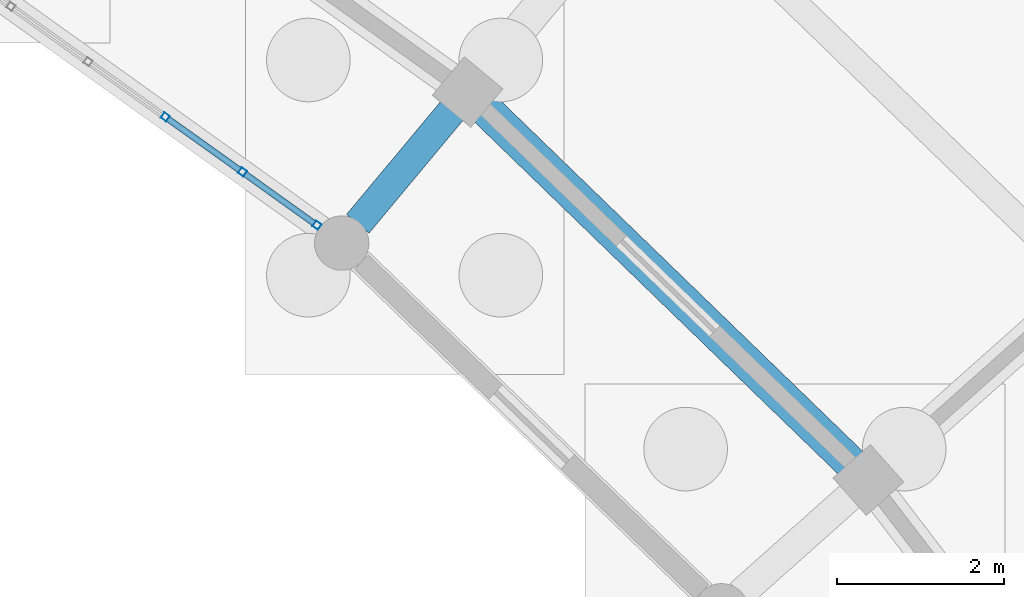
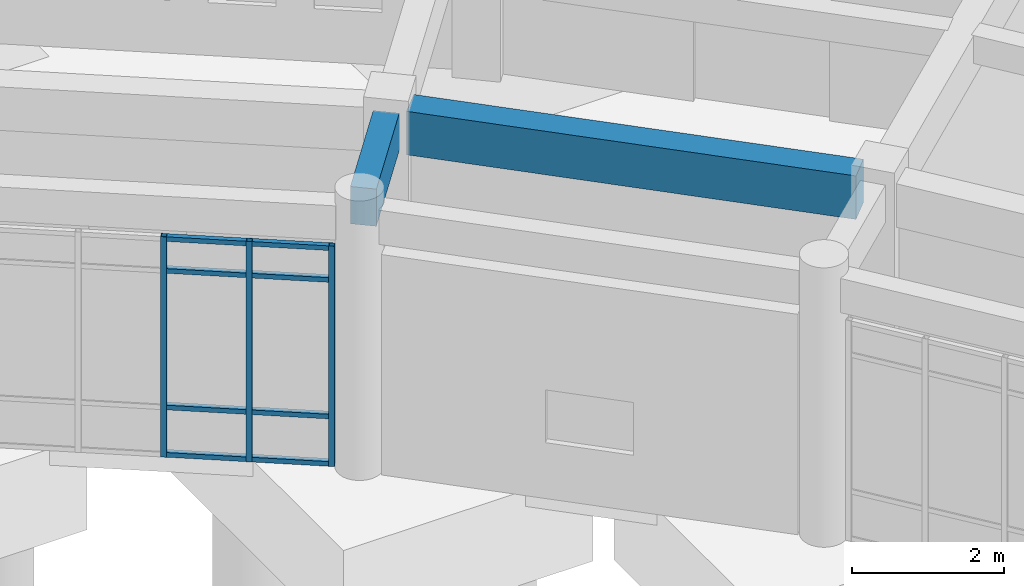
# One storey, part 81 of 153: 11 members, 2 beams, 1 element without a shape of its own.
"""IFC4 building model written with IfcOpenShell, lengths in metres."""

import ifcopenshell
import ifcopenshell.guid

model = None  # the IFC model being written
_history = None  # IfcOwnerHistory: only IFC2X3 demands one
_inside = {}  # id of a spatial element -> (the spatial element, [elements in it])
_under = {}  # id of a project, library or spatial element -> (it, [spatial elements below it])
_declared = {}  # id of a project -> (the project, [libraries it declares])
_typed = {}  # id of a type object -> (the type object, [elements of that type])
_made_of = {}  # id of a material, layer set ... -> (it, [elements and type objects made of it])


def new_model(schema):
    """Start an empty IFC model of exactly this schema.

    Asked for "IFC4X3", IfcOpenShell would pick the latest addendum, in which some entities
    have other attributes; the version numbers below select the first issue.
    IFC2X3 requires an IfcOwnerHistory on every rooted entity: one is made here for all.
    """
    global model, _history
    if schema == "IFC4X3":
        model = ifcopenshell.file(schema_version=(4, 3, 0, 0))
    else:
        model = ifcopenshell.file(schema=schema)
    _inside.clear()
    _under.clear()
    _declared.clear()
    _typed.clear()
    _made_of.clear()
    _history = None
    if model.schema == "IFC2X3":
        org = make("IfcOrganization", Name="unknown")
        user = make(
            "IfcPersonAndOrganization",
            ThePerson=make("IfcPerson", FamilyName="unknown"),
            TheOrganization=org,
        )
        app = make(
            "IfcApplication",
            ApplicationDeveloper=org,
            Version="unknown",
            ApplicationFullName="unknown",
            ApplicationIdentifier="unknown",
        )
        _history = make(
            "IfcOwnerHistory",
            OwningUser=user,
            OwningApplication=app,
            ChangeAction="ADDED",
            CreationDate=0,
        )
    return model


def make(cls, **values):
    """One entity of the class cls with the attributes given. An attribute that is None is left unset."""
    return model.create_entity(
        cls, **{name: value for name, value in values.items() if value is not None}
    )


def rooted(cls, **values):
    """An entity with a GlobalId (a new one), such as an element, a storey or a relation."""
    return make(cls, GlobalId=ifcopenshell.guid.new(), OwnerHistory=_history, **values)


def si_unit(unit_type, name, prefix=None):
    """IfcSIUnit, for example si_unit("LENGTHUNIT", "METRE", prefix="MILLI")."""
    return make("IfcSIUnit", UnitType=unit_type, Prefix=prefix, Name=name)


def assignment(units):
    """IfcUnitAssignment: the units of a project."""
    return None if units is None else make("IfcUnitAssignment", Units=units)


def point(xyz):
    """IfcCartesianPoint."""
    return None if xyz is None else make("IfcCartesianPoint", Coordinates=xyz)


def direction(xyz):
    """IfcDirection."""
    return None if xyz is None else make("IfcDirection", DirectionRatios=xyz)


def frame(location, z_axis=None, x_axis=None):
    """IfcAxis2Placement3D, a coordinate frame: its origin and axes. An axis left out is left unset."""
    return make(
        "IfcAxis2Placement3D",
        Location=point(location),
        Axis=direction(z_axis),
        RefDirection=direction(x_axis),
    )


def frame_2d(location, x_axis=None):
    """IfcAxis2Placement2D, a coordinate frame in the plane: its origin and x axis."""
    return make(
        "IfcAxis2Placement2D", Location=point(location), RefDirection=direction(x_axis)
    )


def origin():
    """The frame at (0, 0, 0) with its axes left unset."""
    return frame((0.0, 0.0, 0.0))


def origin_2d():
    """The frame at (0, 0) in the plane with its x axis left unset."""
    return frame_2d((0.0, 0.0))


def place(relative_to, where):
    """IfcLocalPlacement: puts the frame where relative to a parent placement (None: the world)."""
    return make(
        "IfcLocalPlacement", PlacementRelTo=relative_to, RelativePlacement=where
    )


def context(
    kind, dimensions, precision=None, world=None, true_north=None, identifier=None
):
    """IfcGeometricRepresentationContext, for example the 3D "Model" context."""
    return make(
        "IfcGeometricRepresentationContext",
        ContextIdentifier=identifier,
        ContextType=kind,
        CoordinateSpaceDimension=dimensions,
        Precision=precision,
        WorldCoordinateSystem=world,
        TrueNorth=true_north,
    )


def subcontext(parent, identifier, kind, view, scale=None):
    """IfcGeometricRepresentationSubContext, for example "Body" below "Model"."""
    return make(
        "IfcGeometricRepresentationSubContext",
        ContextIdentifier=identifier,
        ContextType=kind,
        ParentContext=parent,
        TargetScale=scale,
        TargetView=view,
    )


def project(units=None, contexts=None):
    """IfcProject with its units and contexts."""
    return rooted(
        "IfcProject",
        Name="project",
        RepresentationContexts=contexts,
        UnitsInContext=assignment(units),
    )


def spatial(cls, under=None, at=None, **own):
    """A site, building, storey or space (cls), placed at a placement, below another one or the project."""
    s = rooted(cls, ObjectPlacement=at, **own)
    if under is not None:
        _under.setdefault(under.id(), (under, []))[1].append(s)
    return s


def profile(cls, at=None, kind="AREA", **sizes):
    """A parametric profile (cls). Its sizes go by their IFC names, for example OverallWidth=200.0."""
    return make(cls, ProfileType=kind, Position=at, **sizes)


def rectangle(**sizes):
    """IfcRectangleProfileDef."""
    return profile("IfcRectangleProfileDef", **sizes)


def hollow_rectangle(**sizes):
    """IfcRectangleHollowProfileDef."""
    return profile("IfcRectangleHollowProfileDef", **sizes)


def extrude(swept, where, along, depth):
    """IfcExtrudedAreaSolid: the profile swept, set in the frame where, extruded along a direction by depth."""
    return make(
        "IfcExtrudedAreaSolid",
        SweptArea=swept,
        Position=where,
        ExtrudedDirection=direction(along),
        Depth=depth,
    )


def shape(context_of_items, identifier, shape_type, items):
    """IfcShapeRepresentation: the items that make up one representation, for example the "Body"."""
    return make(
        "IfcShapeRepresentation",
        ContextOfItems=context_of_items,
        RepresentationIdentifier=identifier,
        RepresentationType=shape_type,
        Items=items,
    )


def material(Name=None, Category=None):
    """IfcMaterial."""
    return make("IfcMaterial", Name=Name, Category=Category)


def material_profile(
    of_material, cross_section, Name=None, Category=None, Priority=None
):
    """IfcMaterialProfile: a cross section and its material."""
    return make(
        "IfcMaterialProfile",
        Name=Name,
        Material=of_material,
        Profile=cross_section,
        Priority=Priority,
        Category=Category,
    )


def profile_set(profiles, Name=None, composite=None):
    """IfcMaterialProfileSet."""
    return make(
        "IfcMaterialProfileSet",
        Name=Name,
        MaterialProfiles=profiles,
        CompositeProfile=composite,
    )


def made_of(thing, what):
    """Note that an element or type object is made of a material, layer set ...; save() writes the relation."""
    if what is not None:
        _made_of.setdefault(what.id(), (what, []))[1].append(thing)
    return thing


def type_object(cls, material=None, **own):
    """A type object (cls), such as IfcWallType, which elements share."""
    return made_of(rooted(cls, **own), material)


def element(
    cls,
    number,
    at=None,
    inside=None,
    cuts=None,
    type_object=None,
    material=None,
    context=None,
    identifier="Body",
    shape_type=None,
    held_by="IfcProductDefinitionShape",
    body=None,
    shapes=None,
    **own,
):
    """One element of the class cls, such as IfcWall. Its Tag is "e" and its number.

    at: its placement. inside: the storey or other place that contains it. cuts: it is an
    opening in that element (IfcRelVoidsElement). A single representation is given by context,
    identifier, shape_type and body (its items); several are given by shapes. held_by: the class
    of the entity that holds the representations. save() writes the other relations.
    """
    e = rooted(cls, Tag="e%d" % number, ObjectPlacement=at, **own)
    if body is not None:
        shapes = [shape(context, identifier, shape_type, body)]
    if shapes is not None:
        e.Representation = make(held_by, Representations=shapes)
    if inside is not None:
        _inside.setdefault(inside.id(), (inside, []))[1].append(e)
    if cuts is not None:
        rooted(
            "IfcRelVoidsElement", RelatingBuildingElement=cuts, RelatedOpeningElement=e
        )
    if type_object is not None:
        _typed.setdefault(type_object.id(), (type_object, []))[1].append(e)
    return made_of(e, material)


def aggregate(whole, parts):
    """IfcRelAggregates: a whole, such as a stair, and the parts it consists of."""
    return rooted("IfcRelAggregates", RelatingObject=whole, RelatedObjects=parts)


def save(model, path):
    """Write the relations noted so far, then the file.

    IfcRelAggregates (storeys below a building ...), IfcRelContainedInSpatialStructure (elements
    in a storey), IfcRelDefinesByType, IfcRelAssociatesMaterial and IfcRelDeclares: one each for
    every whole, place, type object, material and project.
    """
    for whole, parts in _under.values():
        aggregate(whole, parts)
    for where, things in _inside.values():
        rooted(
            "IfcRelContainedInSpatialStructure",
            RelatedElements=things,
            RelatingStructure=where,
        )
    for kind, things in _typed.values():
        rooted("IfcRelDefinesByType", RelatedObjects=things, RelatingType=kind)
    for what, things in _made_of.values():
        rooted("IfcRelAssociatesMaterial", RelatedObjects=things, RelatingMaterial=what)
    for by, libraries in _declared.values():
        rooted("IfcRelDeclares", RelatingContext=by, RelatedDefinitions=libraries)
    model.write(path)


model = new_model("IFC4")

# Units and contexts
model_context = context("Model", 3, precision=1e-05, world=origin(), true_north=direction((0.0, 1.0)))
body_context = subcontext(model_context, "Body", "Model", "MODEL_VIEW")
ifc_project = project(units=[si_unit("LENGTHUNIT", "METRE"), si_unit("AREAUNIT", "SQUARE_METRE"), si_unit("VOLUMEUNIT", "CUBIC_METRE"), si_unit("PLANEANGLEUNIT", "RADIAN"), si_unit("MASSUNIT", "GRAM", prefix="KILO")], contexts=[model_context])

# Site, building, storey
site_placement = place(None, origin())
site = spatial("IfcSite", under=ifc_project, at=site_placement, CompositionType="ELEMENT")
building_placement = place(site_placement, origin())
building = spatial("IfcBuilding", under=site, at=building_placement, Name="Celadon Cloister-Ring School", CompositionType="ELEMENT")
storey_placement = place(building_placement, origin())
storey = spatial("IfcBuildingStorey", under=building, at=storey_placement, Name="L00", CompositionType="ELEMENT", Elevation=0.0)

# Beam
ifc_material_1 = material(Name="Concrete C35/45", Category="concrete")
ifc_material_profile_1 = material_profile(ifc_material_1, rectangle(XDim=0.35009765625, YDim=0.60009765625, at=origin_2d()), Name="RC350X600")
ifc_profile_set_1 = profile_set([ifc_material_profile_1], Name="Concrete C35/45")
beam_type_1 = type_object("IfcBeamType", Name="BT-02", PredefinedType="BEAM", material=ifc_profile_set_1)
beam_1_placement = place(storey_placement, frame((115.638916015625, 93.35400390625, 3.97998046875), z_axis=(-0.640279058295, -0.768142387523, 0.0), x_axis=(0.768142387523, -0.640279058295, 0.0)))
element("IfcBeam", 1, at=beam_1_placement, inside=storey, type_object=beam_type_1, Name="Beam 0066", PredefinedType="BEAM", context=body_context, shape_type="SweptSolid", body=[
    extrude(rectangle(XDim=0.35009765625, YDim=0.60009765625, at=origin_2d()), origin(), (0.0, 0.0, 1.0), 1.775634765625),
])

# Curtain wall, members
ifc_material_2 = material(Name="Aluminium EN AW-6063 T6", Category="aluminium")
curtain_wall_type = type_object("IfcCurtainWallType", Name="CW-01", PredefinedType="USERDEFINED", material=ifc_material_2)
curtain_wall_placement = place(storey_placement, origin())
curtain_wall = element("IfcCurtainWall", 2, at=curtain_wall_placement, inside=storey, type_object=curtain_wall_type, Name="Curtain Wall 0020", ObjectType="CURTAIN WALL", PredefinedType="USERDEFINED")
ifc_material_3 = material(Name="Aluminium EN AW-6063 T6", Category="aluminium")
ifc_material_profile_2 = material_profile(ifc_material_3, hollow_rectangle(XDim=0.080078125, YDim=0.080078125, WallThickness=0.00390625, at=origin_2d()), Name="RHS80X80X4")
ifc_profile_set_2 = profile_set([ifc_material_profile_2], Name="Aluminium EN AW-6063 T6")
member_type_1 = type_object("IfcMemberType", Name="CM-03", PredefinedType="MULLION", material=ifc_profile_set_2)
member_1_placement = place(storey_placement, frame((114.013427734375, 91.97216796875, 0.0), z_axis=(0.0, 0.0, 1.0), x_axis=(-0.581555173434, -0.813506963862, 0.0)))
member_1 = element("IfcMember", 3, at=member_1_placement, type_object=member_type_1, Name="CW-01 mullion 1", PredefinedType="MULLION", context=body_context, shape_type="SweptSolid", body=[
    extrude(hollow_rectangle(XDim=0.080078125, YDim=0.080078125, WallThickness=0.00390625, at=origin_2d()), origin(), (0.0, 0.0, 1.0), 3.550048828125),
])
member_2_placement = place(storey_placement, frame((113.12353515625, 92.6083984375, 0.0), z_axis=(0.0, 0.0, 1.0), x_axis=(-0.581555173434, -0.813506963862, 0.0)))
member_2 = element("IfcMember", 4, at=member_2_placement, type_object=member_type_1, Name="CW-01 mullion 2", PredefinedType="MULLION", context=body_context, shape_type="SweptSolid", body=[
    extrude(hollow_rectangle(XDim=0.080078125, YDim=0.080078125, WallThickness=0.00390625, at=origin_2d()), origin(), (0.0, 0.0, 1.0), 3.550048828125),
])
member_3_placement = place(storey_placement, frame((112.201171875, 93.267822265625, 0.0), z_axis=(0.0, 0.0, 1.0), x_axis=(-0.581555173434, -0.813506963862, 0.0)))
member_3 = element("IfcMember", 5, at=member_3_placement, type_object=member_type_1, Name="CW-01 mullion 3", PredefinedType="MULLION", context=body_context, shape_type="SweptSolid", body=[
    extrude(hollow_rectangle(XDim=0.080078125, YDim=0.080078125, WallThickness=0.00390625, at=origin_2d()), origin(), (0.0, 0.0, 1.0), 3.550048828125),
])
ifc_material_4 = material(Name="Aluminium EN AW-6063 T6", Category="aluminium")
ifc_material_profile_3 = material_profile(ifc_material_4, hollow_rectangle(XDim=0.074951171875, YDim=0.074951171875, WallThickness=0.00390625, at=origin_2d()), Name="RHS75X75X4")
ifc_profile_set_3 = profile_set([ifc_material_profile_3], Name="Aluminium EN AW-6063 T6")
member_type_2 = type_object("IfcMemberType", Name="CTM-03", PredefinedType="USERDEFINED", material=ifc_profile_set_3)
member_4_placement = place(storey_placement, frame((113.98095703125, 91.99560546875, 0.03759765625), z_axis=(-0.813489325329, 0.581579846261, 0.0), x_axis=(-0.581579846261, -0.813489325329, 0.0)))
member_4 = element("IfcMember", 6, at=member_4_placement, type_object=member_type_2, Name="CW-01 transom 1.1", ObjectType="TRANSOM", PredefinedType="USERDEFINED", context=body_context, shape_type="SweptSolid", body=[
    extrude(hollow_rectangle(XDim=0.074951171875, YDim=0.074951171875, WallThickness=0.00390625, at=origin_2d()), origin(), (0.0, 0.0, 1.0), 1.013671875),
])
member_5_placement = place(storey_placement, frame((113.98095703125, 91.99560546875, 0.800048828125), z_axis=(-0.813489325329, 0.581579846261, 0.0), x_axis=(-0.581579846261, -0.813489325329, 0.0)))
member_5 = element("IfcMember", 7, at=member_5_placement, type_object=member_type_2, Name="CW-01 transom 1.2", ObjectType="TRANSOM", PredefinedType="USERDEFINED", context=body_context, shape_type="SweptSolid", body=[
    extrude(hollow_rectangle(XDim=0.074951171875, YDim=0.074951171875, WallThickness=0.00390625, at=origin_2d()), origin(), (0.0, 0.0, 1.0), 1.013671875),
])
member_6_placement = place(storey_placement, frame((113.98095703125, 91.99560546875, 3.0), z_axis=(-0.813489325329, 0.581579846261, 0.0), x_axis=(-0.581579846261, -0.813489325329, 0.0)))
member_6 = element("IfcMember", 8, at=member_6_placement, type_object=member_type_2, Name="CW-01 transom 1.3", ObjectType="TRANSOM", PredefinedType="USERDEFINED", context=body_context, shape_type="SweptSolid", body=[
    extrude(hollow_rectangle(XDim=0.074951171875, YDim=0.074951171875, WallThickness=0.00390625, at=origin_2d()), origin(), (0.0, 0.0, 1.0), 1.013671875),
])
member_7_placement = place(storey_placement, frame((113.98095703125, 91.99560546875, 3.512451171875), z_axis=(-0.813489325329, 0.581579846261, 0.0), x_axis=(-0.581579846261, -0.813489325329, 0.0)))
member_7 = element("IfcMember", 9, at=member_7_placement, type_object=member_type_2, Name="CW-01 transom 1.4", ObjectType="TRANSOM", PredefinedType="USERDEFINED", context=body_context, shape_type="SweptSolid", body=[
    extrude(hollow_rectangle(XDim=0.074951171875, YDim=0.074951171875, WallThickness=0.00390625, at=origin_2d()), origin(), (0.0, 0.0, 1.0), 1.013671875),
])
member_8_placement = place(storey_placement, frame((113.091064453125, 92.631591796875, 0.03759765625), z_axis=(-0.813467330106, 0.581610611019, 0.0), x_axis=(-0.581610611019, -0.813467330106, 0.0)))
member_8 = element("IfcMember", 10, at=member_8_placement, type_object=member_type_2, Name="CW-01 transom 2.1", ObjectType="TRANSOM", PredefinedType="USERDEFINED", context=body_context, shape_type="SweptSolid", body=[
    extrude(hollow_rectangle(XDim=0.074951171875, YDim=0.074951171875, WallThickness=0.00390625, at=origin_2d()), origin(), (0.0, 0.0, 1.0), 1.053955078125),
])
member_9_placement = place(storey_placement, frame((113.091064453125, 92.631591796875, 0.800048828125), z_axis=(-0.813467330106, 0.581610611019, 0.0), x_axis=(-0.581610611019, -0.813467330106, 0.0)))
member_9 = element("IfcMember", 11, at=member_9_placement, type_object=member_type_2, Name="CW-01 transom 2.2", ObjectType="TRANSOM", PredefinedType="USERDEFINED", context=body_context, shape_type="SweptSolid", body=[
    extrude(hollow_rectangle(XDim=0.074951171875, YDim=0.074951171875, WallThickness=0.00390625, at=origin_2d()), origin(), (0.0, 0.0, 1.0), 1.053955078125),
])
member_10_placement = place(storey_placement, frame((113.091064453125, 92.631591796875, 3.0), z_axis=(-0.813467330106, 0.581610611019, 0.0), x_axis=(-0.581610611019, -0.813467330106, 0.0)))
member_10 = element("IfcMember", 12, at=member_10_placement, type_object=member_type_2, Name="CW-01 transom 2.3", ObjectType="TRANSOM", PredefinedType="USERDEFINED", context=body_context, shape_type="SweptSolid", body=[
    extrude(hollow_rectangle(XDim=0.074951171875, YDim=0.074951171875, WallThickness=0.00390625, at=origin_2d()), origin(), (0.0, 0.0, 1.0), 1.053955078125),
])
member_11_placement = place(storey_placement, frame((113.091064453125, 92.631591796875, 3.512451171875), z_axis=(-0.813467330106, 0.581610611019, 0.0), x_axis=(-0.581610611019, -0.813467330106, 0.0)))
member_11 = element("IfcMember", 13, at=member_11_placement, type_object=member_type_2, Name="CW-01 transom 2.4", ObjectType="TRANSOM", PredefinedType="USERDEFINED", context=body_context, shape_type="SweptSolid", body=[
    extrude(hollow_rectangle(XDim=0.074951171875, YDim=0.074951171875, WallThickness=0.00390625, at=origin_2d()), origin(), (0.0, 0.0, 1.0), 1.053955078125),
])
aggregate(curtain_wall, [member_1, member_2, member_3, member_4, member_5, member_6, member_7, member_8, member_9, member_10, member_11])

# Beam
ifc_material_5 = material(Name="Concrete C35/45", Category="concrete")
ifc_material_profile_4 = material_profile(ifc_material_5, rectangle(XDim=0.39990234375, YDim=0.699951171875, at=origin_2d()), Name="RC400X700")
ifc_profile_set_4 = profile_set([ifc_material_profile_4], Name="Concrete C35/45")
beam_type_2 = type_object("IfcBeamType", Name="GT-03", PredefinedType="USERDEFINED", material=ifc_profile_set_4)
beam_2_placement = place(storey_placement, frame((120.406982421875, 89.118896484375, 3.929931640625), z_axis=(-0.718371111719, 0.695660079239, 0.0), x_axis=(-0.695660079239, -0.718371111719, 0.0)))
element("IfcBeam", 14, at=beam_2_placement, inside=storey, type_object=beam_type_2, Name="Beam 0192", ObjectType="GIRDER", PredefinedType="USERDEFINED", context=body_context, shape_type="SweptSolid", body=[
    extrude(rectangle(XDim=0.39990234375, YDim=0.699951171875, at=origin_2d()), origin(), (0.0, 0.0, 1.0), 6.11669921875),
])

save(model, "model.ifc")
